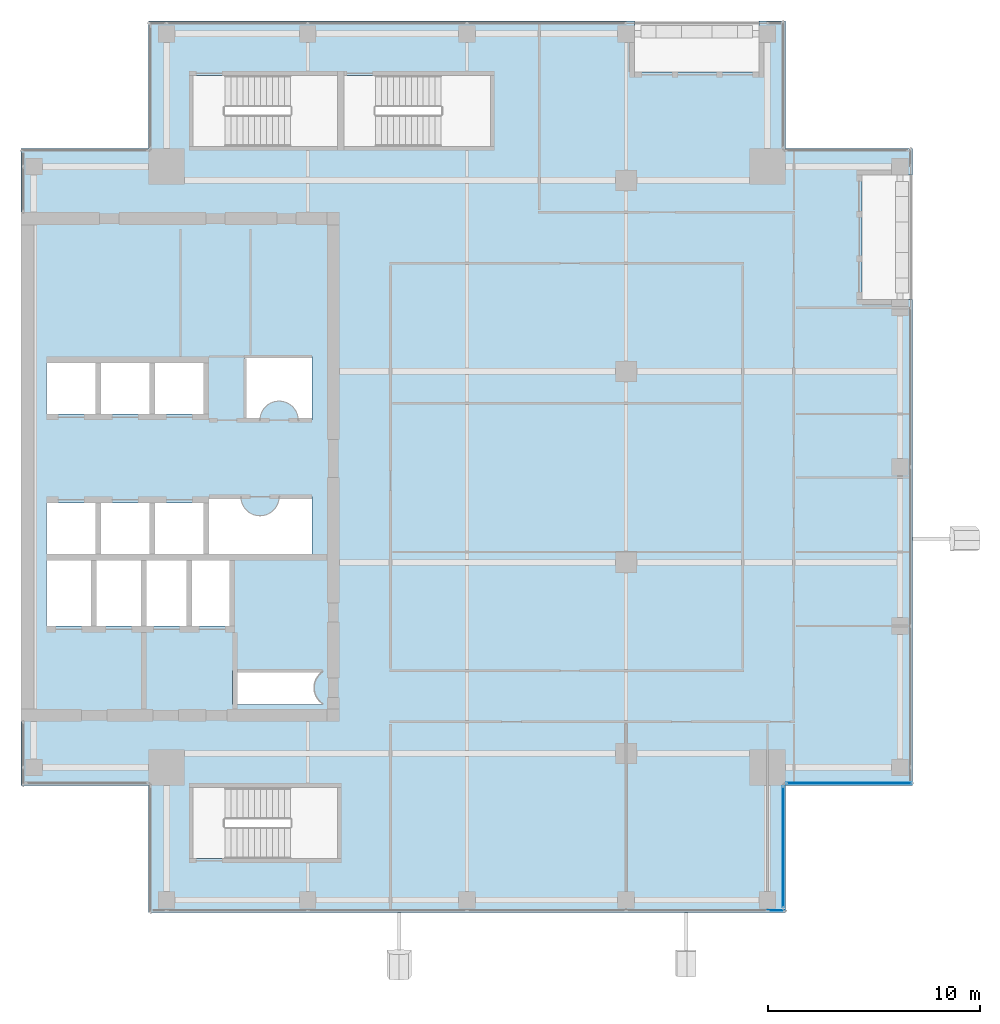
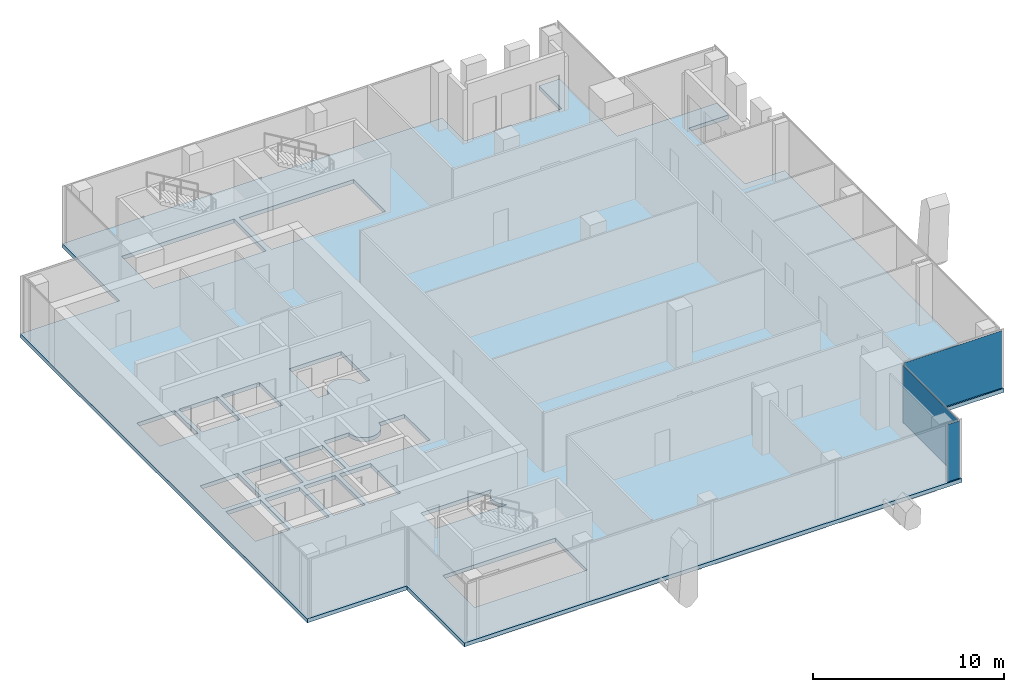
# One storey, part 19 of 28: 3 plates, 1 slab, 3 elements without a shape of their own.
"""IFC4 building model written with IfcOpenShell, lengths in metres."""

from ifc_helpers import new_model, si_unit, direction, frame, origin, origin_2d, place, context, subcontext, project, spatial, polyline, rectangle, outline, extrude, source, transform, mapped, material, layer, layer_set, type_object, element, aggregate, save


model = new_model("IFC4")

# Units and contexts
model_context = context("Model", 3, precision=1e-05, world=origin(), true_north=direction((0.0, 1.0)))
body_context = subcontext(model_context, "Body", "Model", "MODEL_VIEW")
ifc_project = project(units=[si_unit("LENGTHUNIT", "METRE"), si_unit("AREAUNIT", "SQUARE_METRE"), si_unit("VOLUMEUNIT", "CUBIC_METRE"), si_unit("PLANEANGLEUNIT", "RADIAN"), si_unit("MASSUNIT", "GRAM", prefix="KILO")], contexts=[model_context])

# Site, building, storey
site_placement = place(None, origin())
site = spatial("IfcSite", under=ifc_project, at=site_placement, CompositionType="ELEMENT")
building_placement = place(site_placement, origin())
building = spatial("IfcBuilding", under=site, at=building_placement, Name="Khomas Fold Tower", CompositionType="ELEMENT")
storey_placement = place(building_placement, frame((0.0, 0.0, 298.199951171875)))
storey = spatial("IfcBuildingStorey", under=building, at=storey_placement, Name="L67", CompositionType="ELEMENT", Elevation=298.199951171875)

# Slab
ifc_material_1 = material(Name="Concrete C40/50", Category="concrete")
ifc_layer_1 = layer(ifc_material_1, 0.25)
ifc_layer_set_1 = layer_set([ifc_layer_1], Name="Concrete C40/50")
slab_type = type_object("IfcSlabType", Name="RC floor slab 250", PredefinedType="FLOOR", material=ifc_layer_set_1)
shared_shape_1 = source(origin(), body_context, "Body", "SweptSolid", [
    extrude(outline(polyline([(6.0, 12.0), (12.0, 12.0), (12.0, 6.0), (42.0, 6.0), (42.0, 12.0), (48.0, 12.0), (48.0, 34.89990234375), (45.60009765625, 34.89990234375), (45.60009765625, 40.75), (48.0, 40.75), (48.0, 42.0), (42.0, 42.0), (42.0, 48.0), (40.75, 48.0), (40.75, 45.60009765625), (34.89990234375, 45.60009765625), (34.89990234375, 48.0), (12.0, 48.0), (12.0, 42.0), (6.0, 42.0), (6.0, 12.0)]), holes=[polyline([(7.199951171875, 19.5), (7.199951171875, 22.60009765625), (9.300048828125, 22.60009765625), (9.300048828125, 19.5), (7.199951171875, 19.5)]), polyline([(7.199951171875, 22.89990234375), (7.199951171875, 25.300048828125), (9.5, 25.300048828125), (9.5, 22.89990234375), (7.199951171875, 22.89990234375)]), polyline([(7.199951171875, 29.5), (7.199951171875, 31.89990234375), (9.5, 31.89990234375), (9.5, 29.5), (7.199951171875, 29.5)]), polyline([(9.550048828125, 19.5), (9.550048828125, 22.60009765625), (11.64990234375, 22.60009765625), (11.64990234375, 19.5), (9.550048828125, 19.5)]), polyline([(9.75, 22.89990234375), (9.75, 25.300048828125), (12.050048828125, 25.300048828125), (12.050048828125, 22.89990234375), (9.75, 22.89990234375)]), polyline([(9.75, 29.5), (9.75, 31.89990234375), (12.050048828125, 31.89990234375), (12.050048828125, 29.5), (9.75, 29.5)]), polyline([(11.89990234375, 19.5), (11.89990234375, 22.60009765625), (13.800048828125, 22.60009765625), (13.800048828125, 19.5), (11.89990234375, 19.5)]), polyline([(12.300048828125, 22.89990234375), (12.300048828125, 25.300048828125), (14.60009765625, 25.300048828125), (14.60009765625, 22.89990234375), (12.300048828125, 22.89990234375)]), polyline([(12.300048828125, 29.5), (12.300048828125, 31.89990234375), (14.60009765625, 31.89990234375), (14.60009765625, 29.5), (12.300048828125, 29.5)]), polyline([(14.050048828125, 19.5), (14.050048828125, 22.60009765625), (15.949951171875, 22.60009765625), (15.949951171875, 19.5), (14.050048828125, 19.5)]), polyline([(14.10009765625, 8.550048828125), (14.10009765625, 11.89990234375), (20.89990234375, 11.89990234375), (20.89990234375, 8.550048828125), (14.10009765625, 8.550048828125)]), polyline([(14.10009765625, 42.10009765625), (14.10009765625, 45.449951171875), (20.89990234375, 45.449951171875), (20.89990234375, 42.10009765625), (14.10009765625, 42.10009765625)]), polyline([(14.85009765625, 22.89990234375), (14.85009765625, 25.60009765625), (16.35009765625, 25.60009765625), (16.354248046875, 25.51171875), (16.3671875, 25.42431640625), (16.388916015625, 25.338623046875), (16.41845703125, 25.255615234375), (16.456298828125, 25.17578125), (16.501708984375, 25.10009765625), (16.55419921875, 25.029052734375), (16.613525390625, 24.963623046875), (16.678955078125, 24.904296875), (16.75, 24.851806640625), (16.82568359375, 24.806396484375), (16.905517578125, 24.7685546875), (16.98876953125, 24.73876953125), (17.074462890625, 24.71728515625), (17.161865234375, 24.704345703125), (17.25, 24.699951171875), (17.338134765625, 24.704345703125), (17.425537109375, 24.71728515625), (17.51123046875, 24.73876953125), (17.594482421875, 24.7685546875), (17.67431640625, 24.806396484375), (17.75, 24.851806640625), (17.821044921875, 24.904296875), (17.886474609375, 24.963623046875), (17.94580078125, 25.029052734375), (17.998291015625, 25.10009765625), (18.043701171875, 25.17578125), (18.08154296875, 25.255615234375), (18.111083984375, 25.338623046875), (18.1328125, 25.42431640625), (18.145751953125, 25.51171875), (18.14990234375, 25.60009765625), (19.699951171875, 25.60009765625), (19.699951171875, 22.89990234375), (14.85009765625, 22.89990234375)]), polyline([(15.949951171875, 15.800048828125), (15.949951171875, 17.39990234375), (20.199951171875, 17.39990234375), (20.199951171875, 17.348388671875), (20.199951171875, 17.348388671875), (20.12890625, 17.295654296875), (20.063720703125, 17.236328125), (20.00439453125, 17.1708984375), (19.95166015625, 17.10009765625), (19.90625, 17.0244140625), (19.868408203125, 16.9443359375), (19.8388671875, 16.861328125), (19.8173828125, 16.775634765625), (19.80419921875, 16.688232421875), (19.800048828125, 16.60009765625), (19.80419921875, 16.51171875), (19.8173828125, 16.42431640625), (19.8388671875, 16.338623046875), (19.868408203125, 16.255615234375), (19.90625, 16.17578125), (19.95166015625, 16.10009765625), (20.00439453125, 16.029052734375), (20.063720703125, 15.963623046875), (20.12890625, 15.904296875), (20.199951171875, 15.851806640625), (20.199951171875, 15.851806640625), (20.199951171875, 15.800048828125), (15.949951171875, 15.800048828125)]), polyline([(16.550048828125, 29.199951171875), (16.550048828125, 32.199951171875), (19.699951171875, 32.199951171875), (19.699951171875, 29.199951171875), (19.050048828125, 29.199951171875), (19.045654296875, 29.2880859375), (19.03271484375, 29.37548828125), (19.01123046875, 29.461181640625), (18.9814453125, 29.54443359375), (18.943603515625, 29.624267578125), (18.898193359375, 29.699951171875), (18.845703125, 29.77099609375), (18.786376953125, 29.83642578125), (18.720947265625, 29.895751953125), (18.64990234375, 29.9482421875), (18.57421875, 29.99365234375), (18.494384765625, 30.031494140625), (18.411376953125, 30.061279296875), (18.32568359375, 30.082763671875), (18.23828125, 30.095703125), (18.14990234375, 30.10009765625), (18.061767578125, 30.095703125), (17.974365234375, 30.082763671875), (17.888671875, 30.061279296875), (17.8056640625, 30.031494140625), (17.7255859375, 29.99365234375), (17.64990234375, 29.9482421875), (17.5791015625, 29.895751953125), (17.513671875, 29.83642578125), (17.454345703125, 29.77099609375), (17.401611328125, 29.699951171875), (17.356201171875, 29.624267578125), (17.318603515625, 29.54443359375), (17.288818359375, 29.461181640625), (17.267333984375, 29.37548828125), (17.25439453125, 29.2880859375), (17.25, 29.199951171875), (16.550048828125, 29.199951171875)]), polyline([(21.199951171875, 42.10009765625), (21.199951171875, 45.449951171875), (28.10009765625, 45.449951171875), (28.10009765625, 42.10009765625), (21.199951171875, 42.10009765625)])]), origin(), (0.0, 0.0, 1.0), 0.25),
])
slab_placement = place(storey_placement, frame((0.0, 0.0, -0.25)))
element("IfcSlab", 1, at=slab_placement, inside=storey, type_object=slab_type, Name="S-L67", PredefinedType="FLOOR", context=body_context, shape_type="MappedRepresentation", body=[
    mapped(shared_shape_1, transform((0.0, 0.0, 0.0))),
])

# Curtain wall, plate
ifc_material_2 = material(Name="Aluminium framed double glazing", Category="aluminium")
curtain_wall_type = type_object("IfcCurtainWallType", Name="SK-Unitised clear-glass wall, upper floors CW3", PredefinedType="NOTDEFINED", material=ifc_material_2)
curtain_wall_1_placement = place(storey_placement, origin())
curtain_wall_1 = element("IfcCurtainWall", 2, at=curtain_wall_1_placement, inside=storey, type_object=curtain_wall_type, Name="CW3 run L67 00-0", PredefinedType="NOTDEFINED")
ifc_material_3 = material(Name="Clear double glazed unit")
ifc_layer_2 = layer(ifc_material_3, 0.028076171875)
ifc_layer_set_2 = layer_set([ifc_layer_2], Name="Clear double glazed unit")
plate_type = type_object("IfcPlateType", Name="SK-Unitised clear-glass wall, upper floors glass panel CW3-P", PredefinedType="CURTAIN_PANEL", material=ifc_layer_set_2)
shared_shape_2 = source(origin(), body_context, "Body", "SweptSolid", [
    extrude(rectangle(XDim=0.77490234375, YDim=0.028076171875, at=origin_2d()), origin(), (0.0, 0.0, 1.0), 3.64990234375),
])
plate_1_placement = place(storey_placement, frame((41.5625, 6.10009765625, 0.0), z_axis=(0.0, 0.0, 1.0), x_axis=(1.0, 0.0, 0.0)))
plate_1 = element("IfcPlate", 3, at=plate_1_placement, type_object=plate_type, Name="CW3 glass panel 6", PredefinedType="CURTAIN_PANEL", context=body_context, shape_type="MappedRepresentation", body=[
    mapped(shared_shape_2, transform((0.0, 0.0, 0.0))),
])
aggregate(curtain_wall_1, [plate_1])

curtain_wall_2_placement = place(storey_placement, origin())
curtain_wall_2 = element("IfcCurtainWall", 4, at=curtain_wall_2_placement, inside=storey, type_object=curtain_wall_type, Name="CW3 corner return L67 01", PredefinedType="NOTDEFINED")
shared_shape_3 = source(origin(), body_context, "Body", "SweptSolid", [
    extrude(rectangle(XDim=5.699951171875, YDim=0.028076171875, at=origin_2d()), origin(), (0.0, 0.0, 1.0), 3.64990234375),
])
plate_2_placement = place(storey_placement, frame((41.89990234375, 9.10009765625, 0.0), z_axis=(0.0, 0.0, 1.0), x_axis=(0.0, 1.0, 0.0)))
plate_2 = element("IfcPlate", 5, at=plate_2_placement, type_object=plate_type, Name="CW3 glass panel 1", PredefinedType="CURTAIN_PANEL", context=body_context, shape_type="MappedRepresentation", body=[
    mapped(shared_shape_3, transform((0.0, 0.0, 0.0))),
])
aggregate(curtain_wall_2, [plate_2])

curtain_wall_3_placement = place(storey_placement, origin())
curtain_wall_3 = element("IfcCurtainWall", 6, at=curtain_wall_3_placement, inside=storey, type_object=curtain_wall_type, Name="CW3 corner return L67 02", PredefinedType="NOTDEFINED")
shared_shape_4 = source(origin(), body_context, "Body", "SweptSolid", [
    extrude(rectangle(XDim=5.89990234375, YDim=0.028076171875, at=origin_2d()), origin(), (0.0, 0.0, 1.0), 3.64990234375),
])
plate_3_placement = place(storey_placement, frame((45.0, 12.10009765625, 0.0), z_axis=(0.0, 0.0, 1.0), x_axis=(1.0, 0.0, 0.0)))
plate_3 = element("IfcPlate", 7, at=plate_3_placement, type_object=plate_type, Name="CW3 glass panel 1", PredefinedType="CURTAIN_PANEL", context=body_context, shape_type="MappedRepresentation", body=[
    mapped(shared_shape_4, transform((0.0, 0.0, 0.0))),
])
aggregate(curtain_wall_3, [plate_3])

save(model, "model.ifc")
